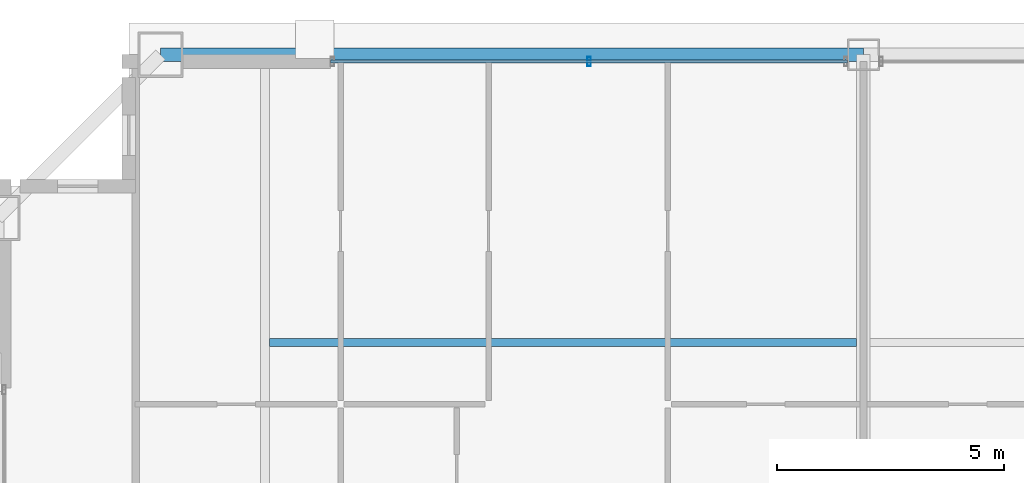
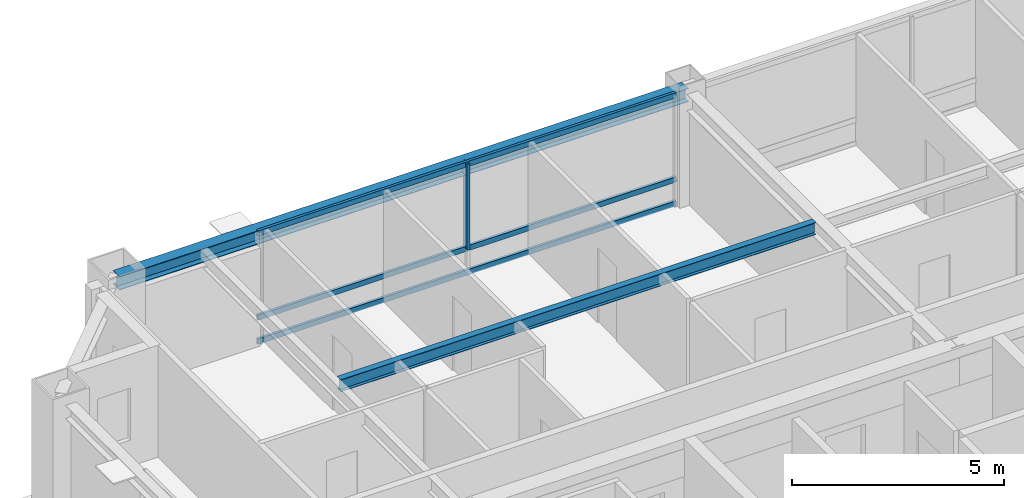
# One storey, part 17 of 35: 4 members, 2 beams, 1 element without a shape of its own.
"""IFC4 building model written with IfcOpenShell, lengths in metres."""

from ifc_helpers import new_model, si_unit, direction, frame, origin, origin_2d, place, context, subcontext, project, spatial, hollow_rectangle, i_section, extrude, source, transform, mapped, material, layer, layer_set, material_profile, profile_set, type_object, element, aggregate, save


model = new_model("IFC4")

# Units and contexts
model_context = context("Model", 3, precision=1e-05, world=origin(), true_north=direction((0.0, 1.0)))
body_context = subcontext(model_context, "Body", "Model", "MODEL_VIEW")
ifc_project = project(units=[si_unit("LENGTHUNIT", "METRE"), si_unit("AREAUNIT", "SQUARE_METRE"), si_unit("VOLUMEUNIT", "CUBIC_METRE"), si_unit("PLANEANGLEUNIT", "RADIAN"), si_unit("MASSUNIT", "GRAM", prefix="KILO"), si_unit("THERMODYNAMICTEMPERATUREUNIT", "KELVIN"), si_unit("POWERUNIT", "WATT")], contexts=[model_context])

# Site, building, storey
site_placement = place(None, origin())
site = spatial("IfcSite", under=ifc_project, at=site_placement, CompositionType="ELEMENT")
building_placement = place(site_placement, origin())
building = spatial("IfcBuilding", under=site, at=building_placement, Name="Yuzanri Waterfront Tower", CompositionType="ELEMENT")
storey_placement = place(building_placement, frame((0.0, 0.0, 303.10009765625)))
storey = spatial("IfcBuildingStorey", under=building, at=storey_placement, Name="L81", CompositionType="ELEMENT", Elevation=303.10009765625)

# Beams
ifc_material_1 = material(Name="Steel Q355B", Category="steel")
ifc_material_profile_1 = material_profile(ifc_material_1, i_section(OverallWidth=0.175048828125, OverallDepth=0.35009765625, WebThickness=0.007080078125, FlangeThickness=0.010986328125, at=origin_2d()), Name="HN 350x175x7x11")
ifc_profile_set_1 = profile_set([ifc_material_profile_1], Name="Steel Q355B")
beam_type_1 = type_object("IfcBeamType", Name="Floor Joist Q355B HN 350x175", PredefinedType="JOIST", material=ifc_profile_set_1)
shared_shape_1 = source(origin(), body_context, "Body", "SweptSolid", [
    extrude(i_section(OverallWidth=0.175048828125, OverallDepth=0.35009765625, WebThickness=0.007080078125, FlangeThickness=0.010986328125, at=origin_2d()), origin(), (0.0, 0.0, 1.0), 12.9501953125),
])
beam_1_placement = place(storey_placement, frame((23.89990234375, 38.550048828125, 3.044921875), z_axis=(1.0, 0.0, 0.0), x_axis=(0.0, 1.0, 0.0)))
element("IfcBeam", 1, at=beam_1_placement, inside=storey, type_object=beam_type_1, Name="L81 North Bay Joist W", PredefinedType="JOIST", context=body_context, shape_type="MappedRepresentation", body=[
    mapped(shared_shape_1, transform((0.0, 0.0, 0.0), scale=1.0)),
])
ifc_material_2 = material(Name="Steel Q355B", Category="steel")
ifc_material_profile_2 = material_profile(ifc_material_2, i_section(OverallWidth=0.300048828125, OverallDepth=0.389892578125, WebThickness=0.010009765625, FlangeThickness=0.01611328125, at=origin_2d()), Name="HM 390x300x10x16")
ifc_profile_set_2 = profile_set([ifc_material_profile_2], Name="Steel Q355B")
beam_type_2 = type_object("IfcBeamType", Name="Perimeter Spandrel Q355B HM 390x300", PredefinedType="SPANDREL", material=ifc_profile_set_2)
shared_shape_2 = source(origin(), body_context, "Body", "SweptSolid", [
    extrude(i_section(OverallWidth=0.300048828125, OverallDepth=0.389892578125, WebThickness=0.010009765625, FlangeThickness=0.01611328125, at=origin_2d()), origin(), (0.0, 0.0, 1.0), 15.5),
])
beam_2_placement = place(storey_placement, frame((37.0, 44.89990234375, 3.02490234375), z_axis=(-1.0, 0.0, 0.0), x_axis=(0.0, -1.0, 0.0)))
element("IfcBeam", 2, at=beam_2_placement, inside=storey, type_object=beam_type_2, Name="L81 Perimeter Spandrel N2-N1", PredefinedType="SPANDREL", context=body_context, shape_type="MappedRepresentation", body=[
    mapped(shared_shape_2, transform((0.0, 0.0, 0.0), scale=1.0)),
])

# Curtain wall, members
ifc_material_3 = material(Name="Anodized Architectural Bronze", Category="metal")
ifc_layer = layer(ifc_material_3, 0.159912109375)
ifc_layer_set = layer_set([ifc_layer], Name="Anodized Architectural Bronze")
curtain_wall_type = type_object("IfcCurtainWallType", Name="Anodized Bronze High-Rise Penthouse High-Wind Unitized Curtain Wall 6900", PredefinedType="NOTDEFINED", material=ifc_layer_set)
curtain_wall_placement = place(storey_placement, origin())
curtain_wall = element("IfcCurtainWall", 3, at=curtain_wall_placement, inside=storey, type_object=curtain_wall_type, Name="L81 Curtain Wall CW-L81-NL", PredefinedType="NOTDEFINED")
ifc_material_4 = material(Name="Anodized Architectural Bronze", Category="metal")
ifc_material_profile_3 = material_profile(ifc_material_4, hollow_rectangle(XDim=0.074951171875, YDim=0.14990234375, WallThickness=0.00390625, at=origin_2d()), Name="CWT 75x150")
ifc_profile_set_3 = profile_set([ifc_material_profile_3], Name="Anodized Architectural Bronze")
member_type_1 = type_object("IfcMemberType", Name="Anodized Bronze Primary Curtain-Wall Transom 75x150", PredefinedType="USERDEFINED", material=ifc_profile_set_3)
shared_shape_3 = source(origin(), body_context, "Body", "SweptSolid", [
    extrude(hollow_rectangle(XDim=0.074951171875, YDim=0.14990234375, WallThickness=0.00390625, at=origin_2d()), origin(), (0.0, 0.0, 1.0), 11.39990234375),
])
member_1_placement = place(storey_placement, frame((25.25, 44.75, 0.0498046875), z_axis=(1.0, 0.0, 0.0), x_axis=(0.0, 1.0, 0.0)))
member_1 = element("IfcMember", 4, at=member_1_placement, type_object=member_type_1, Name="CW-L81-NL Transom 1", ObjectType="TRANSOM", PredefinedType="USERDEFINED", context=body_context, shape_type="MappedRepresentation", body=[
    mapped(shared_shape_3, transform((0.0, 0.0, 0.0), scale=1.0)),
])
member_2_placement = place(storey_placement, frame((25.25, 44.75, 0.740966796875), z_axis=(1.0, 0.0, 0.0), x_axis=(0.0, 1.0, 0.0)))
member_2 = element("IfcMember", 5, at=member_2_placement, type_object=member_type_1, Name="CW-L81-NL Transom 2", ObjectType="TRANSOM", PredefinedType="USERDEFINED", context=body_context, shape_type="MappedRepresentation", body=[
    mapped(shared_shape_3, transform((0.0, 0.0, 0.0), scale=1.0)),
])
member_3_placement = place(storey_placement, frame((25.25, 44.75, 3.169921875), z_axis=(1.0, 0.0, 0.0), x_axis=(0.0, 1.0, 0.0)))
member_3 = element("IfcMember", 6, at=member_3_placement, type_object=member_type_1, Name="CW-L81-NL Transom 3", ObjectType="TRANSOM", PredefinedType="USERDEFINED", context=body_context, shape_type="MappedRepresentation", body=[
    mapped(shared_shape_3, transform((0.0, 0.0, 0.0), scale=1.0)),
])
ifc_material_5 = material(Name="Anodized Architectural Bronze", Category="metal")
ifc_material_profile_4 = material_profile(ifc_material_5, hollow_rectangle(XDim=0.074951171875, YDim=0.199951171875, WallThickness=0.00390625, at=origin_2d()), Name="CWM 75x200")
ifc_profile_set_4 = profile_set([ifc_material_profile_4], Name="Anodized Architectural Bronze")
member_type_2 = type_object("IfcMemberType", Name="Anodized Bronze Primary Curtain-Wall Mullion 75x200", PredefinedType="MULLION", material=ifc_profile_set_4)
shared_shape_4 = source(origin(), body_context, "Body", "SweptSolid", [
    extrude(hollow_rectangle(XDim=0.074951171875, YDim=0.199951171875, WallThickness=0.00390625, at=origin_2d()), origin(), (0.0, 0.0, 1.0), 2.47705078125),
])
member_4_placement = place(storey_placement, frame((30.949951171875, 44.75, 0.742919921875), z_axis=(0.0, 0.0, 1.0), x_axis=(1.0, 0.0, 0.0)))
member_4 = element("IfcMember", 7, at=member_4_placement, type_object=member_type_2, Name="CW-L81-NL Upper Mullion 01", PredefinedType="MULLION", context=body_context, shape_type="MappedRepresentation", body=[
    mapped(shared_shape_4, transform((0.0, 0.0, 0.0), scale=1.0)),
])
aggregate(curtain_wall, [member_4, member_1, member_2, member_3])

save(model, "model.ifc")
